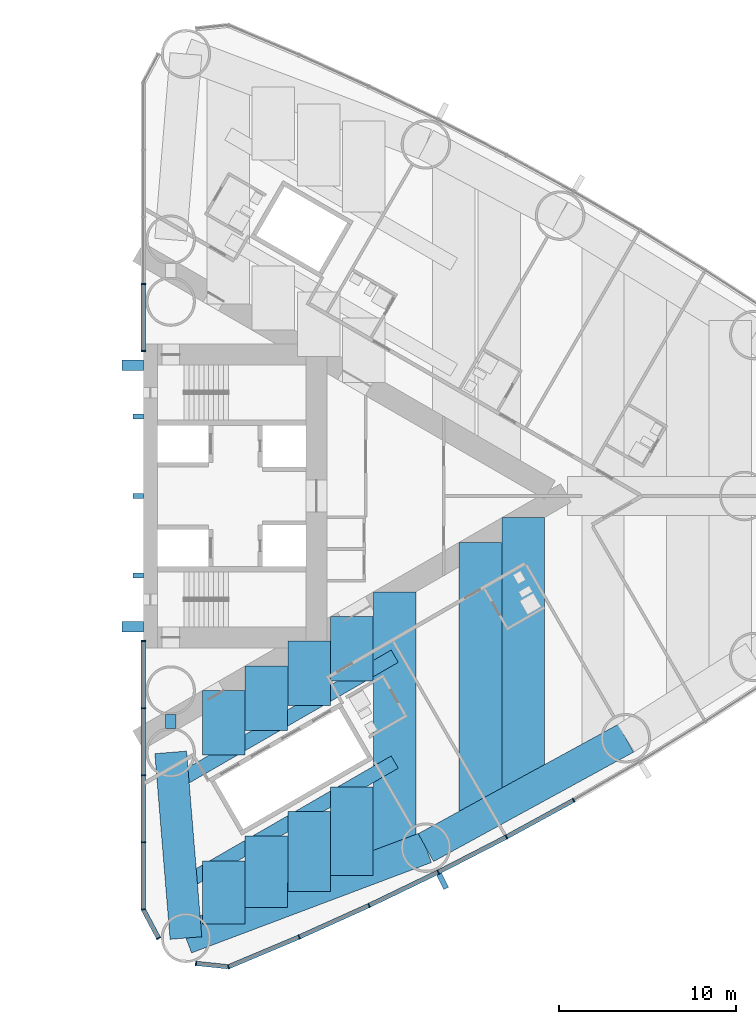
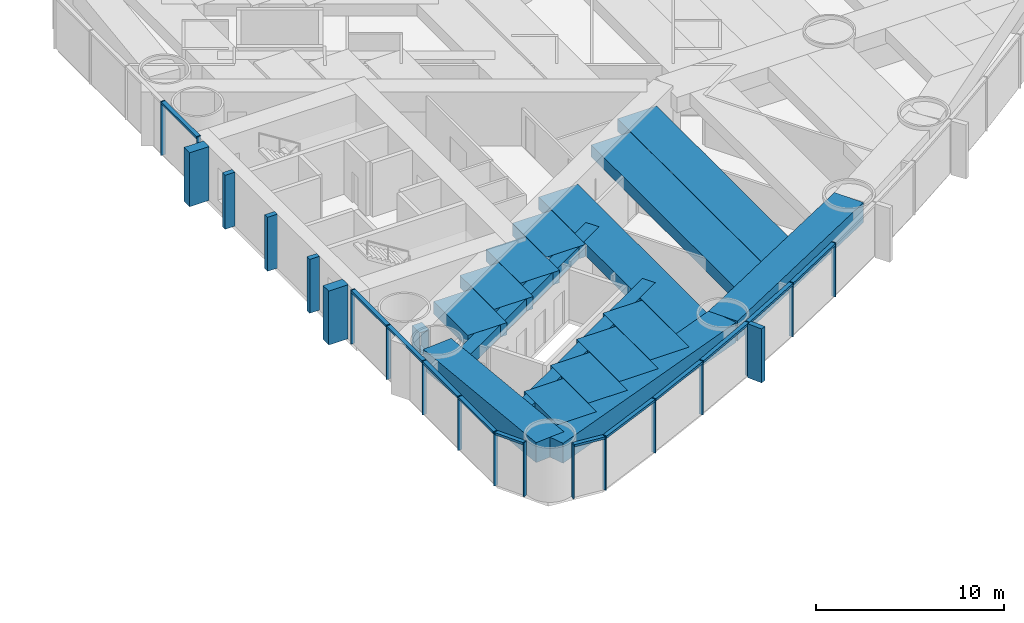
# One storey, part 6 of 19: 33 members, 17 beams, 3 elements without a shape of their own.
"""IFC4 building model written with IfcOpenShell, lengths in metres."""

from ifc_helpers import new_model, si_unit, direction, frame, origin, origin_2d, place, context, subcontext, project, spatial, rectangle, hollow_rectangle, extrude, material, material_profile, profile_set, type_object, element, aggregate, save


model = new_model("IFC4")

# Units and contexts
model_context = context("Model", 3, precision=1e-05, world=origin(), true_north=direction((0.0, 1.0)))
body_context = subcontext(model_context, "Body", "Model", "MODEL_VIEW")
ifc_project = project(units=[si_unit("LENGTHUNIT", "METRE"), si_unit("AREAUNIT", "SQUARE_METRE"), si_unit("VOLUMEUNIT", "CUBIC_METRE"), si_unit("PLANEANGLEUNIT", "RADIAN"), si_unit("MASSUNIT", "GRAM", prefix="KILO")], contexts=[model_context])

# Site, building, storey
site_placement = place(None, origin())
site = spatial("IfcSite", under=ifc_project, at=site_placement, CompositionType="ELEMENT")
building_placement = place(site_placement, origin())
building = spatial("IfcBuilding", under=site, at=building_placement, Name="Lancet Gate Hotel", CompositionType="ELEMENT")
storey_placement = place(building_placement, frame((0.0, 0.0, 70.5)))
storey = spatial("IfcBuildingStorey", under=building, at=storey_placement, Name="L18", CompositionType="ELEMENT", Elevation=70.5)

# Curtain wall, members
ifc_material_1 = material(Name="Aluminium curtain wall", Category="aluminium")
curtain_wall_type = type_object("IfcCurtainWallType", Name="Tower unitised curtain wall", PredefinedType="USERDEFINED", material=ifc_material_1)
curtain_wall_1_placement = place(storey_placement, origin())
curtain_wall_1 = element("IfcCurtainWall", 1, at=curtain_wall_1_placement, inside=storey, type_object=curtain_wall_type, Name="T2 L18 curtain wall 1", ObjectType="UNITISED CURTAIN WALL", PredefinedType="USERDEFINED")
ifc_material_2 = material(Name="Aluminium mullion", Category="aluminium")
ifc_material_profile_1 = material_profile(ifc_material_2, rectangle(XDim=0.06494140625, YDim=0.25, at=origin_2d()), Name="MULLION 65x250")
ifc_profile_set_1 = profile_set([ifc_material_profile_1], Name="Aluminium mullion")
member_type_1 = type_object("IfcMemberType", Name="Aluminium mullion 65x250", PredefinedType="MULLION", material=ifc_profile_set_1)
member_1_placement = place(storey_placement, frame((27.5, -8.199951171875, 0.0), z_axis=(0.0, 0.0, 1.0), x_axis=(0.0, -1.0, 0.0)))
member_1 = element("IfcMember", 2, at=member_1_placement, type_object=member_type_1, Name="T2 L18 curtain wall 1 mullion 1", PredefinedType="MULLION", context=body_context, shape_type="SweptSolid", body=[
    extrude(rectangle(XDim=0.06494140625, YDim=0.25, at=origin_2d()), origin(), (0.0, 0.0, 1.0), 3.5),
])
member_2_placement = place(storey_placement, frame((27.5, -11.99609375, 0.0), z_axis=(0.0, 0.0, 1.0), x_axis=(0.0, -1.0, 0.0)))
member_2 = element("IfcMember", 3, at=member_2_placement, type_object=member_type_1, Name="T2 L18 curtain wall 1 mullion 2", PredefinedType="MULLION", context=body_context, shape_type="SweptSolid", body=[
    extrude(rectangle(XDim=0.06494140625, YDim=0.25, at=origin_2d()), origin(), (0.0, 0.0, 1.0), 3.5),
])
member_3_placement = place(storey_placement, frame((27.5, -15.79248046875, 0.0), z_axis=(0.0, 0.0, 1.0), x_axis=(0.0, -1.0, 0.0)))
member_3 = element("IfcMember", 4, at=member_3_placement, type_object=member_type_1, Name="T2 L18 curtain wall 1 mullion 3", PredefinedType="MULLION", context=body_context, shape_type="SweptSolid", body=[
    extrude(rectangle(XDim=0.06494140625, YDim=0.25, at=origin_2d()), origin(), (0.0, 0.0, 1.0), 3.5),
])
member_4_placement = place(storey_placement, frame((27.5, -19.588623046875, 0.0), z_axis=(0.0, 0.0, 1.0), x_axis=(0.0, -1.0, 0.0)))
member_4 = element("IfcMember", 5, at=member_4_placement, type_object=member_type_1, Name="T2 L18 curtain wall 1 mullion 4", PredefinedType="MULLION", context=body_context, shape_type="SweptSolid", body=[
    extrude(rectangle(XDim=0.06494140625, YDim=0.25, at=origin_2d()), origin(), (0.0, 0.0, 1.0), 3.5),
])
member_5_placement = place(storey_placement, frame((27.5, -23.384765625, 0.0), z_axis=(0.0, 0.0, 1.0), x_axis=(0.157751691459, -0.987478811844, 0.0)))
member_5 = element("IfcMember", 6, at=member_5_placement, type_object=member_type_1, Name="T2 L18 curtain wall 1 mullion 5", PredefinedType="MULLION", context=body_context, shape_type="SweptSolid", body=[
    extrude(rectangle(XDim=0.06494140625, YDim=0.25, at=origin_2d()), origin(), (0.0, 0.0, 1.0), 3.5),
])
member_6_placement = place(storey_placement, frame((28.366455078125, -25.012451171875, 0.0), z_axis=(0.0, 0.0, 1.0), x_axis=(0.469897827284, -0.882720811987, 0.0)))
member_6 = element("IfcMember", 7, at=member_6_placement, type_object=member_type_1, Name="T2 L18 curtain wall 1 mullion 6", PredefinedType="MULLION", context=body_context, shape_type="SweptSolid", body=[
    extrude(rectangle(XDim=0.06494140625, YDim=0.25, at=origin_2d()), origin(), (0.0, 0.0, 1.0), 3.5),
])

curtain_wall_2_placement = place(storey_placement, origin())
curtain_wall_2 = element("IfcCurtainWall", 8, at=curtain_wall_2_placement, inside=storey, type_object=curtain_wall_type, Name="T2 L18 curtain wall 2", ObjectType="UNITISED CURTAIN WALL", PredefinedType="USERDEFINED")
member_7_placement = place(storey_placement, frame((30.48388671875, -26.4375, 0.0), z_axis=(0.0, 0.0, 1.0), x_axis=(0.994672262412, -0.10308778001, 0.0)))
member_7 = element("IfcMember", 9, at=member_7_placement, type_object=member_type_1, Name="T2 L18 curtain wall 2 mullion 1", PredefinedType="MULLION", context=body_context, shape_type="SweptSolid", body=[
    extrude(rectangle(XDim=0.06494140625, YDim=0.25, at=origin_2d()), origin(), (0.0, 0.0, 1.0), 3.5),
])
member_8_placement = place(storey_placement, frame((32.3173828125, -26.62744140625, 0.0), z_axis=(0.0, 0.0, 1.0), x_axis=(0.968721492963, 0.248150496819, 0.0)))
member_8 = element("IfcMember", 10, at=member_8_placement, type_object=member_type_1, Name="T2 L18 curtain wall 2 mullion 2", PredefinedType="MULLION", context=body_context, shape_type="SweptSolid", body=[
    extrude(rectangle(XDim=0.06494140625, YDim=0.25, at=origin_2d()), origin(), (0.0, 0.0, 1.0), 3.5),
])
member_9_placement = place(storey_placement, frame((36.31494140625, -24.943603515625, 0.0), z_axis=(0.0, 0.0, 1.0), x_axis=(0.916578705089, 0.399854320193, 0.0)))
member_9 = element("IfcMember", 11, at=member_9_placement, type_object=member_type_1, Name="T2 L18 curtain wall 2 mullion 3", PredefinedType="MULLION", context=body_context, shape_type="SweptSolid", body=[
    extrude(rectangle(XDim=0.06494140625, YDim=0.25, at=origin_2d()), origin(), (0.0, 0.0, 1.0), 3.5),
])
member_10_placement = place(storey_placement, frame((40.2685546875, -23.15869140625, 0.0), z_axis=(0.0, 0.0, 1.0), x_axis=(0.906104948671, 0.423052977762, 0.0)))
member_10 = element("IfcMember", 12, at=member_10_placement, type_object=member_type_1, Name="T2 L18 curtain wall 2 mullion 4", PredefinedType="MULLION", context=body_context, shape_type="SweptSolid", body=[
    extrude(rectangle(XDim=0.06494140625, YDim=0.25, at=origin_2d()), origin(), (0.0, 0.0, 1.0), 3.5),
])
member_11_placement = place(storey_placement, frame((44.17529296875, -21.273681640625, 0.0), z_axis=(0.0, 0.0, 1.0), x_axis=(0.895044147438, 0.445977548917, 0.0)))
member_11 = element("IfcMember", 13, at=member_11_placement, type_object=member_type_1, Name="T2 L18 curtain wall 2 mullion 5", PredefinedType="MULLION", context=body_context, shape_type="SweptSolid", body=[
    extrude(rectangle(XDim=0.06494140625, YDim=0.25, at=origin_2d()), origin(), (0.0, 0.0, 1.0), 3.5),
])
member_12_placement = place(storey_placement, frame((48.03271484375, -19.2900390625, 0.0), z_axis=(0.0, 0.0, 1.0), x_axis=(0.88340346743, 0.468613181347, 0.0)))
member_12 = element("IfcMember", 14, at=member_12_placement, type_object=member_type_1, Name="T2 L18 curtain wall 2 mullion 6", PredefinedType="MULLION", context=body_context, shape_type="SweptSolid", body=[
    extrude(rectangle(XDim=0.06494140625, YDim=0.25, at=origin_2d()), origin(), (0.0, 0.0, 1.0), 3.5),
])
member_13_placement = place(storey_placement, frame((51.838623046875, -17.208740234375, 0.0), z_axis=(0.0, 0.0, 1.0), x_axis=(0.871190450382, 0.490945209941, 0.0)))
member_13 = element("IfcMember", 15, at=member_13_placement, type_object=member_type_1, Name="T2 L18 curtain wall 2 mullion 7", PredefinedType="MULLION", context=body_context, shape_type="SweptSolid", body=[
    extrude(rectangle(XDim=0.06494140625, YDim=0.25, at=origin_2d()), origin(), (0.0, 0.0, 1.0), 3.5),
])

curtain_wall_3_placement = place(storey_placement, origin())
curtain_wall_3 = element("IfcCurtainWall", 16, at=curtain_wall_3_placement, inside=storey, type_object=curtain_wall_type, Name="T2 L18 curtain wall 4", ObjectType="UNITISED CURTAIN WALL", PredefinedType="USERDEFINED")
member_14_placement = place(storey_placement, frame((27.5, 11.99609375, 0.0), z_axis=(0.0, 0.0, 1.0), x_axis=(0.0, -1.0, 0.0)))
member_14 = element("IfcMember", 17, at=member_14_placement, type_object=member_type_1, Name="T2 L18 curtain wall 4 mullion 5", PredefinedType="MULLION", context=body_context, shape_type="SweptSolid", body=[
    extrude(rectangle(XDim=0.06494140625, YDim=0.25, at=origin_2d()), origin(), (0.0, 0.0, 1.0), 3.5),
])
member_15_placement = place(storey_placement, frame((27.5, 8.199951171875, 0.0), z_axis=(0.0, 0.0, 1.0), x_axis=(0.0, -1.0, 0.0)))
member_15 = element("IfcMember", 18, at=member_15_placement, type_object=member_type_1, Name="T2 L18 curtain wall 4 mullion 6", PredefinedType="MULLION", context=body_context, shape_type="SweptSolid", body=[
    extrude(rectangle(XDim=0.06494140625, YDim=0.25, at=origin_2d()), origin(), (0.0, 0.0, 1.0), 3.5),
])

# Member
ifc_material_3 = material(Name="Aluminium transom", Category="aluminium")
ifc_material_profile_2 = material_profile(ifc_material_3, rectangle(XDim=0.25, YDim=0.14990234375, at=origin_2d()), Name="TRANSOM 250x150")
ifc_profile_set_2 = profile_set([ifc_material_profile_2], Name="Aluminium transom")
member_type_2 = type_object("IfcMemberType", Name="Aluminium transom 250x150", PredefinedType="USERDEFINED", material=ifc_profile_set_2)
member_16_placement = place(storey_placement, frame((27.5, -8.232421875, 3.425048828125), z_axis=(0.0, -1.0, 0.0), x_axis=(1.0, 0.0, 0.0)))
member_16 = element("IfcMember", 19, at=member_16_placement, type_object=member_type_2, Name="T2 L18 curtain wall 1 transom 1", ObjectType="TRANSOM", PredefinedType="USERDEFINED", context=body_context, shape_type="SweptSolid", body=[
    extrude(rectangle(XDim=0.25, YDim=0.14990234375, at=origin_2d()), origin(), (0.0, 0.0, 1.0), 3.731201171875),
])

member_17_placement = place(storey_placement, frame((27.5, -12.02880859375, 3.425048828125), z_axis=(0.0, -1.0, 0.0), x_axis=(1.0, 0.0, 0.0)))
member_17 = element("IfcMember", 20, at=member_17_placement, type_object=member_type_2, Name="T2 L18 curtain wall 1 transom 2", ObjectType="TRANSOM", PredefinedType="USERDEFINED", context=body_context, shape_type="SweptSolid", body=[
    extrude(rectangle(XDim=0.25, YDim=0.14990234375, at=origin_2d()), origin(), (0.0, 0.0, 1.0), 3.731201171875),
])

member_18_placement = place(storey_placement, frame((27.5, -15.824951171875, 3.425048828125), z_axis=(0.0, -1.0, 0.0), x_axis=(1.0, 0.0, 0.0)))
member_18 = element("IfcMember", 21, at=member_18_placement, type_object=member_type_2, Name="T2 L18 curtain wall 1 transom 3", ObjectType="TRANSOM", PredefinedType="USERDEFINED", context=body_context, shape_type="SweptSolid", body=[
    extrude(rectangle(XDim=0.25, YDim=0.14990234375, at=origin_2d()), origin(), (0.0, 0.0, 1.0), 3.731201171875),
])

member_19_placement = place(storey_placement, frame((27.5, -19.62109375, 3.425048828125), z_axis=(0.0, -1.0, 0.0), x_axis=(1.0, 0.0, 0.0)))
member_19 = element("IfcMember", 22, at=member_19_placement, type_object=member_type_2, Name="T2 L18 curtain wall 1 transom 4", ObjectType="TRANSOM", PredefinedType="USERDEFINED", context=body_context, shape_type="SweptSolid", body=[
    extrude(rectangle(XDim=0.25, YDim=0.14990234375, at=origin_2d()), origin(), (0.0, 0.0, 1.0), 3.731201171875),
])

member_20_placement = place(storey_placement, frame((27.515380859375, -23.41357421875, 3.425048828125), z_axis=(0.469904276347, -0.882717378933, 0.0), x_axis=(0.882717378933, 0.469904276347, 0.0)))
member_20 = element("IfcMember", 23, at=member_20_placement, type_object=member_type_2, Name="T2 L18 curtain wall 1 transom 5", ObjectType="TRANSOM", PredefinedType="USERDEFINED", context=body_context, shape_type="SweptSolid", body=[
    extrude(rectangle(XDim=0.25, YDim=0.14990234375, at=origin_2d()), origin(), (0.0, 0.0, 1.0), 1.779052734375),
])

aggregate(curtain_wall_1, [member_1, member_2, member_3, member_4, member_5, member_6, member_16, member_17, member_18, member_19, member_20])

member_21_placement = place(storey_placement, frame((30.516357421875, -26.440673828125, 3.425048828125), z_axis=(0.994670452051, -0.103105246306, 0.0), x_axis=(0.103105246306, 0.994670452051, 0.0)))
member_21 = element("IfcMember", 24, at=member_21_placement, type_object=member_type_2, Name="T2 L18 curtain wall 2 transom 1", ObjectType="TRANSOM", PredefinedType="USERDEFINED", context=body_context, shape_type="SweptSolid", body=[
    extrude(rectangle(XDim=0.25, YDim=0.14990234375, at=origin_2d()), origin(), (0.0, 0.0, 1.0), 1.7783203125),
])

member_22_placement = place(storey_placement, frame((32.347412109375, -26.61474609375, 3.425048828125), z_axis=(0.92159772617, 0.388146404233, 0.0), x_axis=(-0.388146404233, 0.92159772617, 0.0)))
member_22 = element("IfcMember", 25, at=member_22_placement, type_object=member_type_2, Name="T2 L18 curtain wall 2 transom 2", ObjectType="TRANSOM", PredefinedType="USERDEFINED", context=body_context, shape_type="SweptSolid", body=[
    extrude(rectangle(XDim=0.25, YDim=0.14990234375, at=origin_2d()), origin(), (0.0, 0.0, 1.0), 4.272705078125),
])

member_23_placement = place(storey_placement, frame((36.3447265625, -24.930419921875, 3.425048828125), z_axis=(0.911396871737, 0.411528543589, 0.0), x_axis=(-0.411528543589, 0.911396871737, 0.0)))
member_23 = element("IfcMember", 26, at=member_23_placement, type_object=member_type_2, Name="T2 L18 curtain wall 2 transom 3", ObjectType="TRANSOM", PredefinedType="USERDEFINED", context=body_context, shape_type="SweptSolid", body=[
    extrude(rectangle(XDim=0.25, YDim=0.14990234375, at=origin_2d()), origin(), (0.0, 0.0, 1.0), 4.272705078125),
])

member_24_placement = place(storey_placement, frame((40.2978515625, -23.14453125, 3.425048828125), z_axis=(0.900646499888, 0.434552508035, 0.0), x_axis=(-0.434552508035, 0.900646499888, 0.0)))
member_24 = element("IfcMember", 27, at=member_24_placement, type_object=member_type_2, Name="T2 L18 curtain wall 2 transom 4", ObjectType="TRANSOM", PredefinedType="USERDEFINED", context=body_context, shape_type="SweptSolid", body=[
    extrude(rectangle(XDim=0.25, YDim=0.14990234375, at=origin_2d()), origin(), (0.0, 0.0, 1.0), 4.272705078125),
])

member_25_placement = place(storey_placement, frame((44.2041015625, -21.259033203125, 3.425048828125), z_axis=(0.88929576978, 0.457332520002, 0.0), x_axis=(-0.457332520002, 0.88929576978, 0.0)))
member_25 = element("IfcMember", 28, at=member_25_placement, type_object=member_type_2, Name="T2 L18 curtain wall 2 transom 5", ObjectType="TRANSOM", PredefinedType="USERDEFINED", context=body_context, shape_type="SweptSolid", body=[
    extrude(rectangle(XDim=0.25, YDim=0.14990234375, at=origin_2d()), origin(), (0.0, 0.0, 1.0), 4.272705078125),
])

member_26_placement = place(storey_placement, frame((48.061279296875, -19.2744140625, 3.425048828125), z_axis=(0.877377528879, 0.479800658417, 0.0), x_axis=(-0.479800658417, 0.877377528879, 0.0)))
member_26 = element("IfcMember", 29, at=member_26_placement, type_object=member_type_2, Name="T2 L18 curtain wall 2 transom 6", ObjectType="TRANSOM", PredefinedType="USERDEFINED", context=body_context, shape_type="SweptSolid", body=[
    extrude(rectangle(XDim=0.25, YDim=0.14990234375, at=origin_2d()), origin(), (0.0, 0.0, 1.0), 4.272705078125),
])

member_27_placement = place(storey_placement, frame((27.5, 11.963623046875, 3.425048828125), z_axis=(0.0, -1.0, 0.0), x_axis=(1.0, 0.0, 0.0)))
member_27 = element("IfcMember", 30, at=member_27_placement, type_object=member_type_2, Name="T2 L18 curtain wall 4 transom 5", ObjectType="TRANSOM", PredefinedType="USERDEFINED", context=body_context, shape_type="SweptSolid", body=[
    extrude(rectangle(XDim=0.25, YDim=0.14990234375, at=origin_2d()), origin(), (0.0, 0.0, 1.0), 3.731201171875),
])

aggregate(curtain_wall_3, [member_14, member_15, member_27])

# Beams
ifc_material_4 = material(Name="Concrete C50/60", Category="concrete")
ifc_material_profile_3 = material_profile(ifc_material_4, rectangle(XDim=1.800048828125, YDim=1.300048828125, at=origin_2d()), Name="RC 1800x1300")
ifc_profile_set_3 = profile_set([ifc_material_profile_3], Name="Concrete C50/60")
beam_type_1 = type_object("IfcBeamType", Name="Edge beam RC 1800x1300", PredefinedType="SPANDREL", material=ifc_profile_set_3)
beam_1_placement = place(storey_placement, frame((29.9111328125, -25.00244140625, 2.60009765625), z_axis=(0.935736448066, 0.352700013836, 0.0), x_axis=(-0.352700013836, 0.935736448066, 0.0)))
element("IfcBeam", 31, at=beam_1_placement, inside=storey, type_object=beam_type_1, Name="T2 edge beam EB1 L18", PredefinedType="SPANDREL", context=body_context, shape_type="SweptSolid", body=[
    extrude(rectangle(XDim=1.800048828125, YDim=1.300048828125, at=origin_2d()), origin(), (0.0, 0.0, 1.0), 14.505126953125),
])
beam_2_placement = place(storey_placement, frame((43.484130859375, -19.886474609375, 2.60009765625), z_axis=(0.87736889738, 0.479816441893, 0.0), x_axis=(-0.479816441893, 0.87736889738, 0.0)))
element("IfcBeam", 32, at=beam_2_placement, inside=storey, type_object=beam_type_1, Name="T2 edge beam EB1 L18", PredefinedType="SPANDREL", context=body_context, shape_type="SweptSolid", body=[
    extrude(rectangle(XDim=1.800048828125, YDim=1.300048828125, at=origin_2d()), origin(), (0.0, 0.0, 1.0), 12.89208984375),
])
beam_3_placement = place(storey_placement, frame((29.9111328125, -25.00244140625, 2.60009765625), z_axis=(-0.081714744052, 0.996655758326, 0.0), x_axis=(-0.996655758326, -0.081714744052, 0.0)))
element("IfcBeam", 33, at=beam_3_placement, inside=storey, type_object=beam_type_1, Name="T2 edge beam EB1 L18", PredefinedType="SPANDREL", context=body_context, shape_type="SweptSolid", body=[
    extrude(rectangle(XDim=1.800048828125, YDim=1.300048828125, at=origin_2d()), origin(), (0.0, 0.0, 1.0), 10.53759765625),
])

# Members
ifc_material_5 = material(Name="Concrete C60/75", Category="concrete")
ifc_material_profile_4 = material_profile(ifc_material_5, rectangle(XDim=0.60009765625, YDim=1.199951171875, at=origin_2d()), Name="FIN 600x1200")
ifc_profile_set_4 = profile_set([ifc_material_profile_4], Name="Concrete C60/75")
member_type_3 = type_object("IfcMemberType", Name="Exposed concrete buttress pilaster 600x1200", PredefinedType="USERDEFINED", material=ifc_profile_set_4)
for number, where, z_axis, x_axis, name in (
    (34, (26.909912109375, -7.39990234375, 0.0), (0.0, 0.0, 1.0), (0.0, 1.0, 0.0), "T2 buttress pilaster S L18"),
    (35, (26.909912109375, 7.39990234375, 0.0), (0.0, 0.0, 1.0), (0.0, 1.0, 0.0), "T2 buttress pilaster N L18"),
):
    element("IfcMember", number, at=place(storey_placement, frame(where, z_axis=z_axis, x_axis=x_axis)), inside=storey, type_object=member_type_3, Name=name, ObjectType="FIN", PredefinedType="USERDEFINED", context=body_context, shape_type="SweptSolid", body=[
        extrude(rectangle(XDim=0.60009765625, YDim=1.199951171875, at=origin_2d()), origin(), (0.0, 0.0, 1.0), 3.5),
    ])

# Member
ifc_material_6 = material(Name="Precast concrete C50/60", Category="concrete")
ifc_material_profile_5 = material_profile(ifc_material_6, rectangle(XDim=0.300048828125, YDim=0.89990234375, at=origin_2d()), Name="FIN 300x900")
ifc_profile_set_5 = profile_set([ifc_material_profile_5], Name="Precast concrete C50/60")
member_type_4 = type_object("IfcMemberType", Name="Exposed concrete fin 300x900", PredefinedType="USERDEFINED", material=ifc_profile_set_5)
member_28_placement = place(storey_placement, frame((44.431640625, -21.788330078125, 0.0), z_axis=(0.0, 0.0, 1.0), x_axis=(0.895044147438, 0.445977548917, 0.0)))
member_28 = element("IfcMember", 36, at=member_28_placement, type_object=member_type_4, Name="T2 L18 curtain wall 2 fin 5", ObjectType="FIN", PredefinedType="USERDEFINED", context=body_context, shape_type="SweptSolid", body=[
    extrude(rectangle(XDim=0.300048828125, YDim=0.89990234375, at=origin_2d()), origin(), (0.0, 0.0, 1.0), 3.5),
])

aggregate(curtain_wall_2, [member_7, member_8, member_9, member_10, member_11, member_28, member_12, member_13, member_21, member_22, member_23, member_24, member_25, member_26])

# Members
ifc_material_7 = material(Name="Concrete C60/75", Category="concrete")
ifc_material_profile_6 = material_profile(ifc_material_7, rectangle(XDim=0.300048828125, YDim=0.60009765625, at=origin_2d()), Name="FIN 300x600")
ifc_profile_set_6 = profile_set([ifc_material_profile_6], Name="Concrete C60/75")
member_type_5 = type_object("IfcMemberType", Name="Exposed concrete rib 300x600", PredefinedType="USERDEFINED", material=ifc_profile_set_6)
for number, where, z_axis, x_axis, name in (
    (37, (27.2099609375, -4.5, 0.0), (0.0, 0.0, 1.0), (0.0, 1.0, 0.0), "T2 core rib 1 L18"),
    (38, (27.2099609375, 0.0, 0.0), (0.0, 0.0, 1.0), (0.0, 1.0, 0.0), "T2 core rib 2 L18"),
    (39, (27.2099609375, 4.5, 0.0), (0.0, 0.0, 1.0), (0.0, 1.0, 0.0), "T2 core rib 3 L18"),
):
    element("IfcMember", number, at=place(storey_placement, frame(where, z_axis=z_axis, x_axis=x_axis)), inside=storey, type_object=member_type_5, Name=name, ObjectType="FIN", PredefinedType="USERDEFINED", context=body_context, shape_type="SweptSolid", body=[
        extrude(rectangle(XDim=0.300048828125, YDim=0.60009765625, at=origin_2d()), origin(), (0.0, 0.0, 1.0), 3.5),
    ])

# Beams
ifc_material_8 = material(Name="Concrete C50/60", Category="concrete")
ifc_material_profile_7 = material_profile(ifc_material_8, rectangle(XDim=2.39990234375, YDim=0.800048828125, at=origin_2d()), Name="RC 2400x800")
ifc_profile_set_7 = profile_set([ifc_material_profile_7], Name="Concrete C50/60")
beam_type_2 = type_object("IfcBeamType", Name="Floor beam RC 2400x800", PredefinedType="BEAM", material=ifc_profile_set_7)
beam_4_placement = place(storey_placement, frame((41.721435546875, -20.55078125, 2.85009765625), z_axis=(0.0, 1.0, 0.0), x_axis=(-1.0, 0.0, 0.0)))
element("IfcBeam", 40, at=beam_4_placement, inside=storey, type_object=beam_type_2, Name="T2 floor beam F11S L18", PredefinedType="BEAM", context=body_context, shape_type="SweptSolid", body=[
    extrude(rectangle(XDim=2.39990234375, YDim=0.800048828125, at=origin_2d()), origin(), (0.0, 0.0, 1.0), 15.134765625),
])
beam_5_placement = place(storey_placement, frame((46.561767578125, -18.203369140625, 2.85009765625), z_axis=(0.0, 1.0, 0.0), x_axis=(-1.0, 0.0, 0.0)))
element("IfcBeam", 41, at=beam_5_placement, inside=storey, type_object=beam_type_2, Name="T2 floor beam F13S L18", PredefinedType="BEAM", context=body_context, shape_type="SweptSolid", body=[
    extrude(rectangle(XDim=2.39990234375, YDim=0.800048828125, at=origin_2d()), origin(), (0.0, 0.0, 1.0), 15.58203125),
])
beam_6_placement = place(storey_placement, frame((48.98193359375, -16.879638671875, 2.85009765625), z_axis=(0.0, 1.0, 0.0), x_axis=(-1.0, 0.0, 0.0)))
element("IfcBeam", 42, at=beam_6_placement, inside=storey, type_object=beam_type_2, Name="T2 floor beam F15S L18", PredefinedType="BEAM", context=body_context, shape_type="SweptSolid", body=[
    extrude(rectangle(XDim=2.39990234375, YDim=0.800048828125, at=origin_2d()), origin(), (0.0, 0.0, 1.0), 15.655517578125),
])
beam_7_placement = place(storey_placement, frame((32.04052734375, -24.199951171875, 2.85009765625), z_axis=(0.0, 1.0, 0.0), x_axis=(-1.0, 0.0, 0.0)))
element("IfcBeam", 43, at=beam_7_placement, inside=storey, type_object=beam_type_2, Name="T2 floor beam F03SA L18", PredefinedType="BEAM", context=body_context, shape_type="SweptSolid", body=[
    extrude(rectangle(XDim=2.39990234375, YDim=0.800048828125, at=origin_2d()), origin(), (0.0, 0.0, 1.0), 3.5615234375),
])
beam_8_placement = place(storey_placement, frame((32.04052734375, -14.65087890625, 2.85009765625), z_axis=(0.0, 1.0, 0.0), x_axis=(-1.0, 0.0, 0.0)))
element("IfcBeam", 44, at=beam_8_placement, inside=storey, type_object=beam_type_2, Name="T2 floor beam F03SB L18", PredefinedType="BEAM", context=body_context, shape_type="SweptSolid", body=[
    extrude(rectangle(XDim=2.39990234375, YDim=0.800048828125, at=origin_2d()), origin(), (0.0, 0.0, 1.0), 3.6455078125),
])
beam_9_placement = place(storey_placement, frame((34.460693359375, -23.28759765625, 2.85009765625), z_axis=(0.0, 1.0, 0.0), x_axis=(-1.0, 0.0, 0.0)))
element("IfcBeam", 45, at=beam_9_placement, inside=storey, type_object=beam_type_2, Name="T2 floor beam F05SA L18", PredefinedType="BEAM", context=body_context, shape_type="SweptSolid", body=[
    extrude(rectangle(XDim=2.39990234375, YDim=0.800048828125, at=origin_2d()), origin(), (0.0, 0.0, 1.0), 4.04638671875),
])
beam_10_placement = place(storey_placement, frame((34.460693359375, -13.253662109375, 2.85009765625), z_axis=(0.0, 1.0, 0.0), x_axis=(-1.0, 0.0, 0.0)))
element("IfcBeam", 46, at=beam_10_placement, inside=storey, type_object=beam_type_2, Name="T2 floor beam F05SB L18", PredefinedType="BEAM", context=body_context, shape_type="SweptSolid", body=[
    extrude(rectangle(XDim=2.39990234375, YDim=0.800048828125, at=origin_2d()), origin(), (0.0, 0.0, 1.0), 3.645751953125),
])
beam_11_placement = place(storey_placement, frame((36.880859375, -22.37548828125, 2.85009765625), z_axis=(0.0, 1.0, 0.0), x_axis=(-1.0, 0.0, 0.0)))
element("IfcBeam", 47, at=beam_11_placement, inside=storey, type_object=beam_type_2, Name="T2 floor beam F07SA L18", PredefinedType="BEAM", context=body_context, shape_type="SweptSolid", body=[
    extrude(rectangle(XDim=2.39990234375, YDim=0.800048828125, at=origin_2d()), origin(), (0.0, 0.0, 1.0), 4.53173828125),
])
beam_12_placement = place(storey_placement, frame((36.880859375, -11.8564453125, 2.85009765625), z_axis=(0.0, 1.0, 0.0), x_axis=(-1.0, 0.0, 0.0)))
element("IfcBeam", 48, at=beam_12_placement, inside=storey, type_object=beam_type_2, Name="T2 floor beam F07SB L18", PredefinedType="BEAM", context=body_context, shape_type="SweptSolid", body=[
    extrude(rectangle(XDim=2.39990234375, YDim=0.800048828125, at=origin_2d()), origin(), (0.0, 0.0, 1.0), 3.645751953125),
])
beam_13_placement = place(storey_placement, frame((39.301025390625, -21.463134765625, 2.85009765625), z_axis=(0.0, 1.0, 0.0), x_axis=(-1.0, 0.0, 0.0)))
element("IfcBeam", 49, at=beam_13_placement, inside=storey, type_object=beam_type_2, Name="T2 floor beam F09SA L18", PredefinedType="BEAM", context=body_context, shape_type="SweptSolid", body=[
    extrude(rectangle(XDim=2.39990234375, YDim=0.800048828125, at=origin_2d()), origin(), (0.0, 0.0, 1.0), 5.0166015625),
])
beam_14_placement = place(storey_placement, frame((39.301025390625, -10.458984375, 2.85009765625), z_axis=(0.0, 1.0, 0.0), x_axis=(-1.0, 0.0, 0.0)))
element("IfcBeam", 50, at=beam_14_placement, inside=storey, type_object=beam_type_2, Name="T2 floor beam F09SB L18", PredefinedType="BEAM", context=body_context, shape_type="SweptSolid", body=[
    extrude(rectangle(XDim=2.39990234375, YDim=0.800048828125, at=origin_2d()), origin(), (0.0, 0.0, 1.0), 3.6455078125),
])
ifc_material_9 = material(Name="Steel S460QL", Category="steel")
ifc_material_profile_8 = material_profile(ifc_material_9, hollow_rectangle(XDim=0.60009765625, YDim=1.5, WallThickness=0.050048828125, at=origin_2d()), Name="BOX 1500x600x50")
ifc_profile_set_8 = profile_set([ifc_material_profile_8], Name="Steel S460QL")
beam_type_3 = type_object("IfcBeamType", Name="Inner-face link beam BOX 1500x600x50", PredefinedType="BEAM", material=ifc_profile_set_8)
beam_15_placement = place(storey_placement, frame((29.050048828125, -13.14990234375, 2.5), z_axis=(0.0, 1.0, 0.0), x_axis=(-1.0, 0.0, 0.0)))
element("IfcBeam", 51, at=beam_15_placement, inside=storey, type_object=beam_type_3, Name="T2 inner-face link beam LK1 L18", PredefinedType="BEAM", context=body_context, shape_type="SweptSolid", body=[
    extrude(hollow_rectangle(XDim=0.60009765625, YDim=1.5, WallThickness=0.050048828125, at=origin_2d()), origin(), (0.0, 0.0, 1.0), 0.7998046875),
])
ifc_material_10 = material(Name="Steel S460QL", Category="steel")
ifc_material_profile_9 = material_profile(ifc_material_10, hollow_rectangle(XDim=0.800048828125, YDim=0.800048828125, WallThickness=0.080078125, at=origin_2d()), Name="BOX 800x800x80")
ifc_profile_set_9 = profile_set([ifc_material_profile_9], Name="Steel S460QL")
beam_type_4 = type_object("IfcBeamType", Name="Trimmer beam BOX 800x800x80", PredefinedType="BEAM", material=ifc_profile_set_9)
beam_16_placement = place(storey_placement, frame((29.6201171875, -16.048095703125, 2.85009765625), z_axis=(0.866036909293, 0.499980071345, 0.0), x_axis=(-0.499980071345, 0.866036909293, 0.0)))
element("IfcBeam", 52, at=beam_16_placement, inside=storey, type_object=beam_type_4, Name="T2 trimmer beam TR01S L18", PredefinedType="BEAM", context=body_context, shape_type="SweptSolid", body=[
    extrude(hollow_rectangle(XDim=0.800048828125, YDim=0.800048828125, WallThickness=0.080078125, at=origin_2d()), origin(), (0.0, 0.0, 1.0), 13.97314453125),
])
beam_17_placement = place(storey_placement, frame((29.665771484375, -22.00927734375, 2.85009765625), z_axis=(0.866037222451, 0.499979528911, 0.0), x_axis=(-0.499979528911, 0.866037222451, 0.0)))
element("IfcBeam", 53, at=beam_17_placement, inside=storey, type_object=beam_type_4, Name="T2 trimmer beam TR02S L18", PredefinedType="BEAM", context=body_context, shape_type="SweptSolid", body=[
    extrude(hollow_rectangle(XDim=0.800048828125, YDim=0.800048828125, WallThickness=0.080078125, at=origin_2d()), origin(), (0.0, 0.0, 1.0), 13.92041015625),
])

save(model, "model.ifc")
